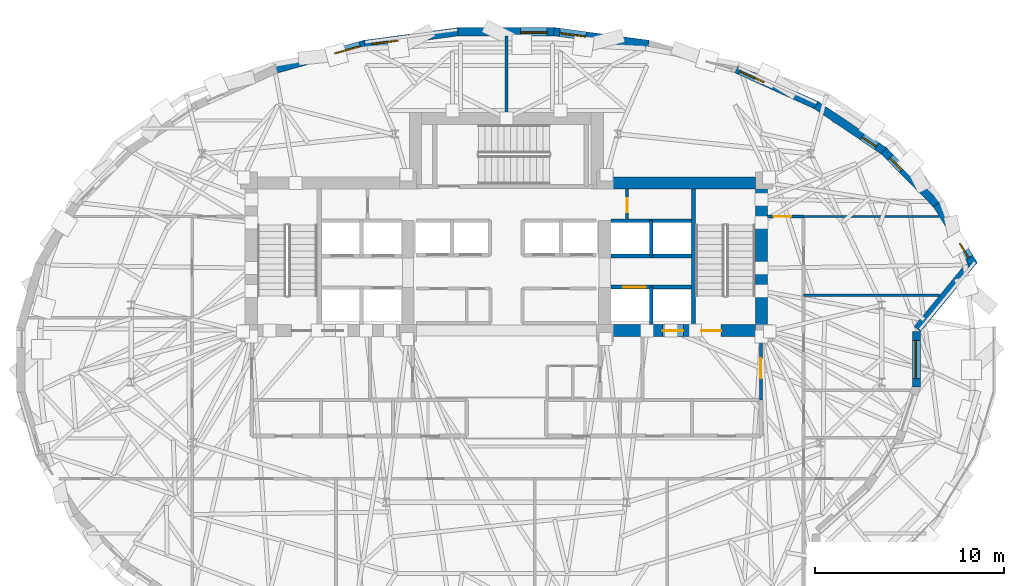
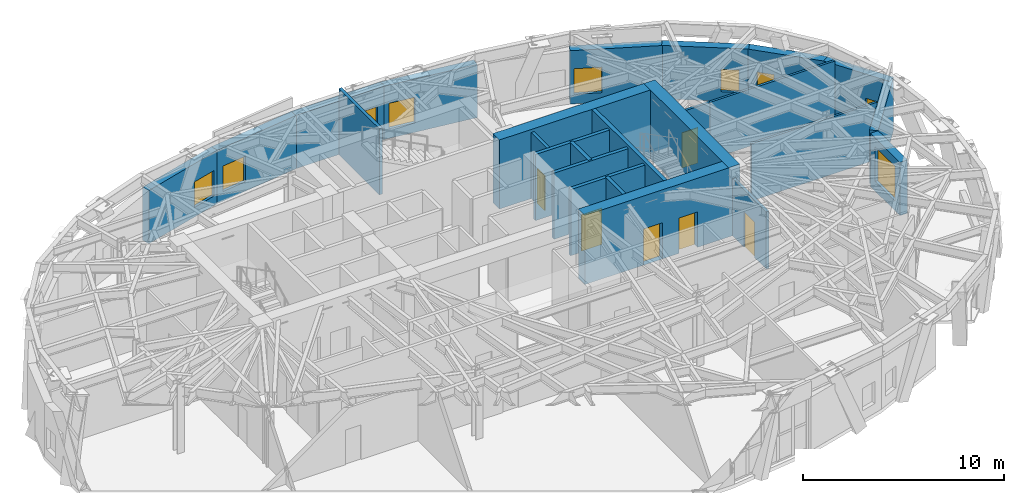
# One storey, part 11 of 16: 25 walls, 9 windows, 6 doors, 15 openings.
"""IFC4 building model written with IfcOpenShell, lengths in metres."""

import ifcopenshell
import ifcopenshell.guid

model = None  # the IFC model being written
_history = None  # IfcOwnerHistory: only IFC2X3 demands one
_inside = {}  # id of a spatial element -> (the spatial element, [elements in it])
_under = {}  # id of a project, library or spatial element -> (it, [spatial elements below it])
_declared = {}  # id of a project -> (the project, [libraries it declares])
_typed = {}  # id of a type object -> (the type object, [elements of that type])
_made_of = {}  # id of a material, layer set ... -> (it, [elements and type objects made of it])


def new_model(schema):
    """Start an empty IFC model of exactly this schema.

    Asked for "IFC4X3", IfcOpenShell would pick the latest addendum, in which some entities
    have other attributes; the version numbers below select the first issue.
    IFC2X3 requires an IfcOwnerHistory on every rooted entity: one is made here for all.
    """
    global model, _history
    if schema == "IFC4X3":
        model = ifcopenshell.file(schema_version=(4, 3, 0, 0))
    else:
        model = ifcopenshell.file(schema=schema)
    _inside.clear()
    _under.clear()
    _declared.clear()
    _typed.clear()
    _made_of.clear()
    _history = None
    if model.schema == "IFC2X3":
        org = make("IfcOrganization", Name="unknown")
        user = make(
            "IfcPersonAndOrganization",
            ThePerson=make("IfcPerson", FamilyName="unknown"),
            TheOrganization=org,
        )
        app = make(
            "IfcApplication",
            ApplicationDeveloper=org,
            Version="unknown",
            ApplicationFullName="unknown",
            ApplicationIdentifier="unknown",
        )
        _history = make(
            "IfcOwnerHistory",
            OwningUser=user,
            OwningApplication=app,
            ChangeAction="ADDED",
            CreationDate=0,
        )
    return model


def make(cls, **values):
    """One entity of the class cls with the attributes given. An attribute that is None is left unset."""
    return model.create_entity(
        cls, **{name: value for name, value in values.items() if value is not None}
    )


def rooted(cls, **values):
    """An entity with a GlobalId (a new one), such as an element, a storey or a relation."""
    return make(cls, GlobalId=ifcopenshell.guid.new(), OwnerHistory=_history, **values)


def si_unit(unit_type, name, prefix=None):
    """IfcSIUnit, for example si_unit("LENGTHUNIT", "METRE", prefix="MILLI")."""
    return make("IfcSIUnit", UnitType=unit_type, Prefix=prefix, Name=name)


def assignment(units):
    """IfcUnitAssignment: the units of a project."""
    return None if units is None else make("IfcUnitAssignment", Units=units)


def point(xyz):
    """IfcCartesianPoint."""
    return None if xyz is None else make("IfcCartesianPoint", Coordinates=xyz)


def direction(xyz):
    """IfcDirection."""
    return None if xyz is None else make("IfcDirection", DirectionRatios=xyz)


def frame(location, z_axis=None, x_axis=None):
    """IfcAxis2Placement3D, a coordinate frame: its origin and axes. An axis left out is left unset."""
    return make(
        "IfcAxis2Placement3D",
        Location=point(location),
        Axis=direction(z_axis),
        RefDirection=direction(x_axis),
    )


def frame_2d(location, x_axis=None):
    """IfcAxis2Placement2D, a coordinate frame in the plane: its origin and x axis."""
    return make(
        "IfcAxis2Placement2D", Location=point(location), RefDirection=direction(x_axis)
    )


def origin():
    """The frame at (0, 0, 0) with its axes left unset."""
    return frame((0.0, 0.0, 0.0))


def place(relative_to, where):
    """IfcLocalPlacement: puts the frame where relative to a parent placement (None: the world)."""
    return make(
        "IfcLocalPlacement", PlacementRelTo=relative_to, RelativePlacement=where
    )


def context(
    kind, dimensions, precision=None, world=None, true_north=None, identifier=None
):
    """IfcGeometricRepresentationContext, for example the 3D "Model" context."""
    return make(
        "IfcGeometricRepresentationContext",
        ContextIdentifier=identifier,
        ContextType=kind,
        CoordinateSpaceDimension=dimensions,
        Precision=precision,
        WorldCoordinateSystem=world,
        TrueNorth=true_north,
    )


def subcontext(parent, identifier, kind, view, scale=None):
    """IfcGeometricRepresentationSubContext, for example "Body" below "Model"."""
    return make(
        "IfcGeometricRepresentationSubContext",
        ContextIdentifier=identifier,
        ContextType=kind,
        ParentContext=parent,
        TargetScale=scale,
        TargetView=view,
    )


def project(units=None, contexts=None):
    """IfcProject with its units and contexts."""
    return rooted(
        "IfcProject",
        Name="project",
        RepresentationContexts=contexts,
        UnitsInContext=assignment(units),
    )


def spatial(cls, under=None, at=None, **own):
    """A site, building, storey or space (cls), placed at a placement, below another one or the project."""
    s = rooted(cls, ObjectPlacement=at, **own)
    if under is not None:
        _under.setdefault(under.id(), (under, []))[1].append(s)
    return s


def profile(cls, at=None, kind="AREA", **sizes):
    """A parametric profile (cls). Its sizes go by their IFC names, for example OverallWidth=200.0."""
    return make(cls, ProfileType=kind, Position=at, **sizes)


def rectangle(**sizes):
    """IfcRectangleProfileDef."""
    return profile("IfcRectangleProfileDef", **sizes)


def extrude(swept, where, along, depth):
    """IfcExtrudedAreaSolid: the profile swept, set in the frame where, extruded along a direction by depth."""
    return make(
        "IfcExtrudedAreaSolid",
        SweptArea=swept,
        Position=where,
        ExtrudedDirection=direction(along),
        Depth=depth,
    )


def shape(context_of_items, identifier, shape_type, items):
    """IfcShapeRepresentation: the items that make up one representation, for example the "Body"."""
    return make(
        "IfcShapeRepresentation",
        ContextOfItems=context_of_items,
        RepresentationIdentifier=identifier,
        RepresentationType=shape_type,
        Items=items,
    )


def material(Name=None, Category=None):
    """IfcMaterial."""
    return make("IfcMaterial", Name=Name, Category=Category)


def layer(
    of_material, thickness, ventilated=None, Name=None, Category=None, Priority=None
):
    """IfcMaterialLayer: one layer of a wall or slab, of a material (None: an air gap)."""
    return make(
        "IfcMaterialLayer",
        Material=of_material,
        LayerThickness=thickness,
        IsVentilated=ventilated,
        Name=Name,
        Category=Category,
        Priority=Priority,
    )


def layer_set(layers, Name=None):
    """IfcMaterialLayerSet."""
    return make("IfcMaterialLayerSet", MaterialLayers=layers, LayerSetName=Name)


def made_of(thing, what):
    """Note that an element or type object is made of a material, layer set ...; save() writes the relation."""
    if what is not None:
        _made_of.setdefault(what.id(), (what, []))[1].append(thing)
    return thing


def type_object(cls, material=None, **own):
    """A type object (cls), such as IfcWallType, which elements share."""
    return made_of(rooted(cls, **own), material)


def element(
    cls,
    number,
    at=None,
    inside=None,
    cuts=None,
    type_object=None,
    material=None,
    context=None,
    identifier="Body",
    shape_type=None,
    held_by="IfcProductDefinitionShape",
    body=None,
    shapes=None,
    **own,
):
    """One element of the class cls, such as IfcWall. Its Tag is "e" and its number.

    at: its placement. inside: the storey or other place that contains it. cuts: it is an
    opening in that element (IfcRelVoidsElement). A single representation is given by context,
    identifier, shape_type and body (its items); several are given by shapes. held_by: the class
    of the entity that holds the representations. save() writes the other relations.
    """
    e = rooted(cls, Tag="e%d" % number, ObjectPlacement=at, **own)
    if body is not None:
        shapes = [shape(context, identifier, shape_type, body)]
    if shapes is not None:
        e.Representation = make(held_by, Representations=shapes)
    if inside is not None:
        _inside.setdefault(inside.id(), (inside, []))[1].append(e)
    if cuts is not None:
        rooted(
            "IfcRelVoidsElement", RelatingBuildingElement=cuts, RelatedOpeningElement=e
        )
    if type_object is not None:
        _typed.setdefault(type_object.id(), (type_object, []))[1].append(e)
    return made_of(e, material)


def fill(opening, filler):
    """IfcRelFillsElement: the door or window that sits in an opening."""
    return rooted(
        "IfcRelFillsElement",
        RelatingOpeningElement=opening,
        RelatedBuildingElement=filler,
    )


def aggregate(whole, parts):
    """IfcRelAggregates: a whole, such as a stair, and the parts it consists of."""
    return rooted("IfcRelAggregates", RelatingObject=whole, RelatedObjects=parts)


def save(model, path):
    """Write the relations noted so far, then the file.

    IfcRelAggregates (storeys below a building ...), IfcRelContainedInSpatialStructure (elements
    in a storey), IfcRelDefinesByType, IfcRelAssociatesMaterial and IfcRelDeclares: one each for
    every whole, place, type object, material and project.
    """
    for whole, parts in _under.values():
        aggregate(whole, parts)
    for where, things in _inside.values():
        rooted(
            "IfcRelContainedInSpatialStructure",
            RelatedElements=things,
            RelatingStructure=where,
        )
    for kind, things in _typed.values():
        rooted("IfcRelDefinesByType", RelatedObjects=things, RelatingType=kind)
    for what, things in _made_of.values():
        rooted("IfcRelAssociatesMaterial", RelatedObjects=things, RelatingMaterial=what)
    for by, libraries in _declared.values():
        rooted("IfcRelDeclares", RelatingContext=by, RelatedDefinitions=libraries)
    model.write(path)


model = new_model("IFC4")

# Units and contexts
model_context = context("Model", 3, precision=1e-05, world=origin(), true_north=direction((0.0, 1.0)))
body_context = subcontext(model_context, "Body", "Model", "MODEL_VIEW")
ifc_project = project(units=[si_unit("LENGTHUNIT", "METRE"), si_unit("AREAUNIT", "SQUARE_METRE"), si_unit("VOLUMEUNIT", "CUBIC_METRE"), si_unit("PLANEANGLEUNIT", "RADIAN"), si_unit("MASSUNIT", "GRAM", prefix="KILO")], contexts=[model_context])

# Site, building, storey
site_placement = place(None, origin())
site = spatial("IfcSite", under=ifc_project, at=site_placement, CompositionType="ELEMENT")
building_placement = place(site_placement, origin())
building = spatial("IfcBuilding", under=site, at=building_placement, Name="Keldmark Tower", CompositionType="ELEMENT")
storey_placement = place(building_placement, frame((0.0, 0.0, 139.60009765625)))
storey = spatial("IfcBuildingStorey", under=building, at=storey_placement, Name="L37", CompositionType="ELEMENT", Elevation=139.60009765625)

# Wall, opening, door
ifc_material_1 = material(Name="Acoustic Double-Layer Gypsum Corridor Partition", Category="gypsum")
ifc_layer_1 = layer(ifc_material_1, 0.139892578125)
ifc_layer_set_1 = layer_set([ifc_layer_1], Name="Acoustic Double-Layer Gypsum Corridor Partition")
wall_type_1 = type_object("IfcWallType", Name="Acoustic Corridor Partition 140 mm", PredefinedType="PARTITIONING", material=ifc_layer_set_1)
wall_1_placement = place(storey_placement, frame((13.800048828125, 7.550048828125, 0.0), z_axis=(0.0, 0.0, 1.0), x_axis=(1.0, 0.0, 0.0)))
wall_1 = element("IfcWall", 1, at=wall_1_placement, inside=storey, type_object=wall_type_1, Name="L37 Acoustic Corridor Partition 140 mm COR-EN-CAP", PredefinedType="PARTITIONING", context=body_context, shape_type="SweptSolid", body=[
    extrude(rectangle(XDim=1.89990234375, YDim=0.139892578125, at=frame_2d((0.949951171875, 0.0))), origin(), (0.0, 0.0, 1.0), 3.472900390625),
])
opening_1_placement = place(wall_1_placement, frame((0.320068359375, 0.0, 0.0)))
opening_1 = element("IfcOpeningElement", 2, at=opening_1_placement, cuts=wall_1, Name="Opening D-EX092", PredefinedType="OPENING", context=body_context, shape_type="SweptSolid", body=[
    extrude(rectangle(XDim=0.919921875, YDim=2.14990234375, at=frame_2d((0.4599609375, 1.074951171875))), frame((0.0, 0.079833984375, 0.0), z_axis=(0.0, -1.0, 0.0), x_axis=(1.0, 0.0, 0.0)), (0.0, 0.0, 1.0), 0.159912109375),
])
ifc_material_2 = material(Name="Flush American Ash Executive Office Door", Category="wood")
door_type_1 = type_object("IfcDoorType", Name="Executive Office Door 920x2150", OperationType="NOTDEFINED", PredefinedType="DOOR", material=ifc_material_2)
door_1_placement = place(opening_1_placement, origin())
door_1 = element("IfcDoor", 3, at=door_1_placement, inside=storey, type_object=door_type_1, Name="L37 Executive Office Door 920x2150 D-NRNE-L37", OperationType="SINGLE_SWING_RIGHT", OverallHeight=2.14990234375, OverallWidth=0.919921875, PredefinedType="DOOR", context=body_context, shape_type="SweptSolid", body=[
    extrude(rectangle(XDim=0.919921875, YDim=2.14990234375, at=frame_2d((0.4599609375, 1.074951171875))), frame((0.0, 0.02490234375, 0.0), z_axis=(0.0, -1.0, 0.0), x_axis=(1.0, 0.0, 0.0)), (0.0, 0.0, 1.0), 0.050048828125),
])
fill(opening_1, door_1)

# Walls
ifc_material_3 = material(Name="STC-58 Insulated Tenant Demising Gypsum Partition", Category="gypsum")
ifc_layer_2 = layer(ifc_material_3, 0.175048828125)
ifc_layer_set_2 = layer_set([ifc_layer_2], Name="STC-58 Insulated Tenant Demising Gypsum Partition")
wall_type_2 = type_object("IfcWallType", Name="Demising Suite Partition 175 mm", PredefinedType="PARTITIONING", material=ifc_layer_set_2)
wall_2_placement = place(storey_placement, frame((0.0, 13.050048828125, 0.0), z_axis=(0.0, 0.0, 1.0), x_axis=(0.0, 1.0, 0.0)))
element("IfcWall", 4, at=wall_2_placement, inside=storey, type_object=wall_type_2, Name="L37 Demising Suite Partition 175 mm N-MID-DIV", PredefinedType="PARTITIONING", context=body_context, shape_type="SweptSolid", body=[
    extrude(rectangle(XDim=4.037109375, YDim=0.175048828125, at=frame_2d((2.0185546875, 0.0))), origin(), (0.0, 0.0, 1.0), 4.02001953125),
])
ifc_material_4 = material(Name="Acoustic Gypsum Board Interior Partition", Category="gypsum")
ifc_layer_3 = layer(ifc_material_4, 0.1298828125)
ifc_layer_set_3 = layer_set([ifc_layer_3], Name="Acoustic Gypsum Board Interior Partition")
wall_type_3 = type_object("IfcWallType", Name="Interior Partition 130 mm", PredefinedType="PARTITIONING", material=ifc_layer_set_3)
wall_3_placement = place(storey_placement, frame((15.699951171875, 7.550048828125, 0.0), z_axis=(0.0, 0.0, 1.0), x_axis=(1.0, 0.0, 0.0)))
element("IfcWall", 5, at=wall_3_placement, inside=storey, type_object=wall_type_3, Name="L37 Interior Partition 130 mm E-CAP-N", PredefinedType="PARTITIONING", context=body_context, shape_type="SweptSolid", body=[
    extrude(rectangle(XDim=7.1669921875, YDim=0.1298828125, at=frame_2d((3.58349609375, 0.0))), origin(), (0.0, 0.0, 1.0), 3.472900390625),
])
wall_4_placement = place(storey_placement, frame((15.699951171875, 3.39990234375, 0.0), z_axis=(0.0, 0.0, 1.0), x_axis=(1.0, 0.0, 0.0)))
element("IfcWall", 6, at=wall_4_placement, inside=storey, type_object=wall_type_3, Name="L37 Interior Partition 130 mm E-DIV-3", PredefinedType="PARTITIONING", context=body_context, shape_type="SweptSolid", body=[
    extrude(rectangle(XDim=7.19482421875, YDim=0.1298828125, at=frame_2d((3.597412109375, 0.0))), origin(), (0.0, 0.0, 1.0), 3.472900390625),
])

# Wall, opening, door
ifc_material_5 = material(Name="Type X Fire-Rated Gypsum Partition Assembly", Category="gypsum")
ifc_layer_4 = layer(ifc_material_5, 0.1650390625)
ifc_layer_set_4 = layer_set([ifc_layer_4], Name="Type X Fire-Rated Gypsum Partition Assembly")
wall_type_4 = type_object("IfcWallType", Name="Rated Partition 165 mm", PredefinedType="PARTITIONING", material=ifc_layer_set_4)
wall_5_placement = place(storey_placement, frame((13.449951171875, -2.14990234375, 0.0), z_axis=(0.0, 0.0, 1.0), x_axis=(0.0, 1.0, 0.0)))
wall_5 = element("IfcWall", 7, at=wall_5_placement, inside=storey, type_object=wall_type_4, Name="L37 Rated Partition 165 mm FSAE-E-E", PredefinedType="PARTITIONING", context=body_context, shape_type="SweptSolid", body=[
    extrude(rectangle(XDim=3.39990234375, YDim=0.1650390625, at=frame_2d((1.699951171875, 0.0))), origin(), (0.0, 0.0, 1.0), 3.472900390625),
])
opening_2_placement = place(wall_5_placement, frame((1.14990234375, 0.0, 0.0)))
opening_2 = element("IfcOpeningElement", 8, at=opening_2_placement, cuts=wall_5, Name="Opening D-FL105", PredefinedType="OPENING", context=body_context, shape_type="SweptSolid", body=[
    extrude(rectangle(XDim=1.050048828125, YDim=2.14990234375, at=frame_2d((0.52490234375, 1.074951171875))), frame((0.0, 0.092529296875, 0.0), z_axis=(0.0, -1.0, 0.0), x_axis=(1.0, 0.0, 0.0)), (0.0, 0.0, 1.0), 0.18505859375),
])
ifc_material_6 = material(Name="Fire-Rated Mineral-Core Door and Vision Lite", Category="metal")
door_type_2 = type_object("IfcDoorType", Name="Fire Lobby Door 1050x2150", OperationType="NOTDEFINED", PredefinedType="DOOR", material=ifc_material_6)
door_2_placement = place(opening_2_placement, origin())
door_2 = element("IfcDoor", 9, at=door_2_placement, inside=storey, type_object=door_type_2, Name="L37 Fire Lobby Door 1050x2150 D-FSAEE-OUT-L37", OperationType="SINGLE_SWING_LEFT", OverallHeight=2.14990234375, OverallWidth=1.050048828125, PredefinedType="DOOR", context=body_context, shape_type="SweptSolid", body=[
    extrude(rectangle(XDim=1.050048828125, YDim=2.14990234375, at=frame_2d((0.52490234375, 1.074951171875))), frame((0.0, 0.02490234375, 0.0), z_axis=(0.0, -1.0, 0.0), x_axis=(1.0, 0.0, 0.0)), (0.0, 0.0, 1.0), 0.050048828125),
])
fill(opening_2, door_2)

wall_6_placement = place(storey_placement, frame((6.3798828125, 7.419921875, 0.0), z_axis=(0.0, 0.0, 1.0), x_axis=(0.0, 1.0, 0.0)))
wall_6 = element("IfcWall", 10, at=wall_6_placement, inside=storey, type_object=wall_type_4, Name="L37 Rated Partition 165 mm CS-NE-W", PredefinedType="PARTITIONING", context=body_context, shape_type="SweptSolid", body=[
    extrude(rectangle(XDim=1.580078125, YDim=0.1650390625, at=frame_2d((0.7900390625, 0.0))), origin(), (0.0, 0.0, 1.0), 4.02001953125),
])
opening_3_placement = place(wall_6_placement, frame((0.35009765625, 0.0, 0.0)))
opening_3 = element("IfcOpeningElement", 11, at=opening_3_placement, cuts=wall_6, Name="Opening D-RS075", PredefinedType="OPENING", context=body_context, shape_type="SweptSolid", body=[
    extrude(rectangle(XDim=0.75, YDim=2.10009765625, at=frame_2d((0.375, 1.050048828125))), frame((0.0, 0.092529296875, 0.0), z_axis=(0.0, -1.0, 0.0), x_axis=(1.0, 0.0, 0.0)), (0.0, 0.0, 1.0), 0.18505859375),
])
ifc_material_7 = material(Name="Galvanized Fire-Rated Access Leaf", Category="metal")
door_type_3 = type_object("IfcDoorType", Name="Riser Access Door 750x2100", OperationType="NOTDEFINED", PredefinedType="DOOR", material=ifc_material_7)
door_3_placement = place(opening_3_placement, origin())
door_3 = element("IfcDoor", 12, at=door_3_placement, inside=storey, type_object=door_type_3, Name="L37 Riser Access Door 750x2100 D-CSNE1-L37", OperationType="SINGLE_SWING_LEFT", OverallHeight=2.10009765625, OverallWidth=0.75, PredefinedType="DOOR", context=body_context, shape_type="SweptSolid", body=[
    extrude(rectangle(XDim=0.75, YDim=2.10009765625, at=frame_2d((0.375, 1.050048828125))), frame((0.0, 0.02490234375, 0.0), z_axis=(0.0, -1.0, 0.0), x_axis=(1.0, 0.0, 0.0)), (0.0, 0.0, 1.0), 0.050048828125),
])
fill(opening_3, door_3)

ifc_material_8 = material(Name="Fire-Resistant Type X Gypsum Shaftliner Coreboard", Category="gypsum")
ifc_layer_5 = layer(ifc_material_8, 0.199951171875)
ifc_layer_set_5 = layer_set([ifc_layer_5], Name="Fire-Resistant Type X Gypsum Shaftliner Coreboard")
wall_type_5 = type_object("IfcWallType", Name="Shaft Wall 200 mm", PredefinedType="SOLIDWALL", material=ifc_layer_set_5)
wall_7_placement = place(storey_placement, frame((5.52490234375, 3.820068359375, 0.0), z_axis=(0.0, 0.0, 1.0), x_axis=(1.0, 0.0, 0.0)))
wall_7 = element("IfcWall", 13, at=wall_7_placement, inside=storey, type_object=wall_type_5, Name="L37 Shaft Wall 200 mm HW-E-S", PredefinedType="SOLIDWALL", context=body_context, shape_type="SweptSolid", body=[
    extrude(rectangle(XDim=4.255126953125, YDim=0.199951171875, at=frame_2d((2.12744140625, 0.0))), origin(), (0.0, 0.0, 1.0), 4.02001953125),
])
opening_4_placement = place(wall_7_placement, frame((0.64990234375, 0.0, 0.0)))
opening_4 = element("IfcOpeningElement", 14, at=opening_4_placement, cuts=wall_7, Name="Opening LD-120", PredefinedType="OPENING", context=body_context, shape_type="SweptSolid", body=[
    extrude(rectangle(XDim=1.199951171875, YDim=2.199951171875, at=frame_2d((0.60009765625, 1.10009765625))), frame((0.0, 0.10986328125, 0.0), z_axis=(0.0, -1.0, 0.0), x_axis=(1.0, 0.0, 0.0)), (0.0, 0.0, 1.0), 0.219970703125),
])
ifc_material_9 = material(Name="Heavy-Duty Brushed Metal Hoistway Sliding Leaf", Category="metal")
door_type_4 = type_object("IfcDoorType", Name="Service Lift Sliding Door 1200x2200", OperationType="SLIDING_TO_RIGHT", PredefinedType="DOOR", material=ifc_material_9)
door_4_placement = place(opening_4_placement, origin())
door_4 = element("IfcDoor", 15, at=door_4_placement, inside=storey, type_object=door_type_4, Name="L37 Service Lift Sliding Door 1200x2200 LD-EL-SV1-L37", OperationType="SLIDING_TO_RIGHT", OverallHeight=2.199951171875, OverallWidth=1.199951171875, PredefinedType="DOOR", context=body_context, shape_type="SweptSolid", body=[
    extrude(rectangle(XDim=1.199951171875, YDim=2.199951171875, at=frame_2d((0.60009765625, 1.10009765625))), frame((0.0, 0.02490234375, 0.0), z_axis=(0.0, -1.0, 0.0), x_axis=(1.0, 0.0, 0.0)), (0.0, 0.0, 1.0), 0.050048828125),
])
fill(opening_4, door_4)

# Walls
wall_8_placement = place(storey_placement, frame((7.64990234375, 1.85009765625, 0.0), z_axis=(0.0, 0.0, 1.0), x_axis=(0.0, 1.0, 0.0)))
element("IfcWall", 16, at=wall_8_placement, inside=storey, type_object=wall_type_5, Name="L37 Shaft Wall 200 mm HW-E-M", PredefinedType="SOLIDWALL", context=body_context, shape_type="SweptSolid", body=[
    extrude(rectangle(XDim=1.969970703125, YDim=0.199951171875, at=frame_2d((0.98486328125, 0.0))), origin(), (0.0, 0.0, 1.0), 4.02001953125),
])
for number, where, z_axis, x_axis, name in (
    (17, (5.52490234375, 5.469970703125, 0.0), (0.0, 0.0, 1.0), (1.0, 0.0, 0.0), "L37 Shaft Wall 200 mm HW-E-N"),
    (18, (5.52490234375, 7.330078125, 0.0), (0.0, 0.0, 1.0), (1.0, 0.0, 0.0), "L37 Shaft Wall 200 mm HW-E-TOP"),
):
    element("IfcWall", number, at=place(storey_placement, frame(where, z_axis=z_axis, x_axis=x_axis)), inside=storey, type_object=wall_type_5, Name=name, PredefinedType="SOLIDWALL", context=body_context, shape_type="SweptSolid", body=[
        extrude(rectangle(XDim=4.255126953125, YDim=0.199951171875, at=frame_2d((2.12744140625, 0.0))), origin(), (0.0, 0.0, 1.0), 4.02001953125),
    ])
wall_9_placement = place(storey_placement, frame((7.64990234375, 5.469970703125, 0.0), z_axis=(0.0, 0.0, 1.0), x_axis=(0.0, 1.0, 0.0)))
element("IfcWall", 19, at=wall_9_placement, inside=storey, type_object=wall_type_5, Name="L37 Shaft Wall 200 mm HW-E-NM", PredefinedType="SOLIDWALL", context=body_context, shape_type="SweptSolid", body=[
    extrude(rectangle(XDim=1.860107421875, YDim=0.199951171875, at=frame_2d((0.93017578125, 0.0))), origin(), (0.0, 0.0, 1.0), 4.02001953125),
])
ifc_material_10 = material(Name="Concrete C50/60", Category="concrete")
ifc_layer_6 = layer(ifc_material_10, 0.219970703125)
ifc_layer_set_6 = layer_set([ifc_layer_6], Name="Concrete C50/60")
wall_type_6 = type_object("IfcWallType", Name="Stair Core Shear Wall 220 mm", PredefinedType="SHEAR", material=ifc_layer_set_6)
wall_10_placement = place(storey_placement, frame((9.889892578125, 1.85009765625, 0.0), z_axis=(0.0, 0.0, 1.0), x_axis=(0.0, 1.0, 0.0)))
element("IfcWall", 20, at=wall_10_placement, inside=storey, type_object=wall_type_6, Name="L37 East Stair Core Shear Wall", PredefinedType="SHEAR", context=body_context, shape_type="SweptSolid", body=[
    extrude(rectangle(XDim=7.14990234375, YDim=0.219970703125, at=frame_2d((3.574951171875, 0.0))), origin(), (0.0, 0.0, 1.0), 4.199951171875),
])
ifc_material_11 = material(Name="Ironspot Manganese Brick and Kasota Buff Limestone Spandrel Assembly", Category="masonry")
ifc_layer_7 = layer(ifc_material_11, 0.43994140625)
ifc_layer_set_7 = layer_set([ifc_layer_7], Name="Ironspot Manganese Brick and Kasota Buff Limestone Spandrel Assembly")
wall_type_7 = type_object("IfcWallType", Name="Tower Brick Pier and Spandrel Wall 440 mm", PredefinedType="STANDARD", material=ifc_layer_set_7)
wall_11_placement = place(storey_placement, frame((24.710205078125, 5.25439453125, 0.0), z_axis=(0.0, 0.0, 1.0), x_axis=(-0.634087001858, -0.773261711244, 0.0)))
element("IfcWall", 21, at=wall_11_placement, inside=storey, type_object=wall_type_7, Name="L37 Exterior Brick and Spandrel Wall 01", PredefinedType="STANDARD", context=body_context, shape_type="SweptSolid", body=[
    extrude(rectangle(XDim=4.725830078125, YDim=0.43994140625, at=frame_2d((2.36279296875, 0.0))), origin(), (0.0, 0.0, 1.0), 3.23779296875),
])

# Wall, opening, window
wall_12_placement = place(storey_placement, frame((22.7421875, 8.19140625, 0.0), z_axis=(0.0, 0.0, 1.0), x_axis=(0.521476412293, -0.853265698022, 0.0)))
wall_12 = element("IfcWall", 22, at=wall_12_placement, inside=storey, type_object=wall_type_7, Name="L37 Exterior Brick and Spandrel Wall 02", PredefinedType="STANDARD", context=body_context, shape_type="SweptSolid", body=[
    extrude(rectangle(XDim=3.740234375, YDim=0.43994140625, at=frame_2d((1.8701171875, 0.0))), origin(), (0.0, 0.0, 1.0), 3.23779296875),
])
opening_5_placement = place(wall_12_placement, frame((2.39111328125, 0.0, 0.419921875)))
opening_5 = element("IfcOpeningElement", 23, at=opening_5_placement, cuts=wall_12, Name="Opening W-09", PredefinedType="OPENING", context=body_context, shape_type="SweptSolid", body=[
    extrude(rectangle(XDim=0.89990234375, YDim=1.35009765625, at=frame_2d((0.449951171875, 0.675048828125))), frame((0.0, 0.22998046875, 0.0), z_axis=(0.0, -1.0, 0.0), x_axis=(1.0, 0.0, 0.0)), (0.0, 0.0, 1.0), 0.4599609375),
])
ifc_material_12 = material(Name="Thermally Broken Anodized Aluminum and Triple Low-E Argon Glazing", Category="aluminium")
window_type_1 = type_object("IfcWindowType", Name="Corner Pier Deep-Set Window 900x1350", PartitioningType="SINGLE_PANEL", PredefinedType="WINDOW", material=ifc_material_12)
window_1_placement = place(opening_5_placement, origin())
window_1 = element("IfcWindow", 24, at=window_1_placement, inside=storey, type_object=window_type_1, Name="L37 Deep-Set Window 02", OverallHeight=1.35009765625, OverallWidth=0.89990234375, PartitioningType="SINGLE_PANEL", PredefinedType="WINDOW", context=body_context, shape_type="SweptSolid", body=[
    extrude(rectangle(XDim=0.89990234375, YDim=1.35009765625, at=frame_2d((0.449951171875, 0.675048828125))), frame((0.0, -0.010009765625, 0.0), z_axis=(0.0, -1.0, 0.0), x_axis=(1.0, 0.0, 0.0)), (0.0, 0.0, 1.0), 0.06005859375),
])
fill(opening_5, window_1)

wall_13_placement = place(storey_placement, frame((19.941650390625, 11.0234375, 0.0), z_axis=(0.0, 0.0, 1.0), x_axis=(0.702094935552, -0.712083352897, 0.0)))
wall_13 = element("IfcWall", 25, at=wall_13_placement, inside=storey, type_object=wall_type_7, Name="L37 Exterior Brick and Spandrel Wall 03", PredefinedType="STANDARD", context=body_context, shape_type="SweptSolid", body=[
    extrude(rectangle(XDim=4.032958984375, YDim=0.43994140625, at=frame_2d((2.0166015625, 0.0))), origin(), (0.0, 0.0, 1.0), 3.23779296875),
])
opening_6_placement = place(wall_13_placement, frame((0.498291015625, 0.0, 0.580078125)))
opening_6 = element("IfcOpeningElement", 26, at=opening_6_placement, cuts=wall_13, Name="Opening W-09", PredefinedType="OPENING", context=body_context, shape_type="SweptSolid", body=[
    extrude(rectangle(XDim=0.89990234375, YDim=1.35009765625, at=frame_2d((0.449951171875, 0.675048828125))), frame((0.0, 0.22998046875, 0.0), z_axis=(0.0, -1.0, 0.0), x_axis=(1.0, 0.0, 0.0)), (0.0, 0.0, 1.0), 0.4599609375),
])
window_2_placement = place(opening_6_placement, origin())
window_2 = element("IfcWindow", 27, at=window_2_placement, inside=storey, type_object=window_type_1, Name="L37 Deep-Set Window 03", OverallHeight=1.35009765625, OverallWidth=0.89990234375, PartitioningType="SINGLE_PANEL", PredefinedType="WINDOW", context=body_context, shape_type="SweptSolid", body=[
    extrude(rectangle(XDim=0.89990234375, YDim=1.35009765625, at=frame_2d((0.449951171875, 0.675048828125))), frame((0.0, -0.010009765625, 0.0), z_axis=(0.0, -1.0, 0.0), x_axis=(1.0, 0.0, 0.0)), (0.0, 0.0, 1.0), 0.06005859375),
])
fill(opening_6, window_2)

wall_14_placement = place(storey_placement, frame((16.370849609375, 13.438232421875, 0.0), z_axis=(0.0, 0.0, 1.0), x_axis=(0.827816201219, -0.56099940909, 0.0)))
wall_14 = element("IfcWall", 28, at=wall_14_placement, inside=storey, type_object=wall_type_7, Name="L37 Exterior Brick and Spandrel Wall 04", PredefinedType="STANDARD", context=body_context, shape_type="SweptSolid", body=[
    extrude(rectangle(XDim=4.353515625, YDim=0.43994140625, at=frame_2d((2.1767578125, 0.0))), origin(), (0.0, 0.0, 1.0), 3.241943359375),
])
opening_7_placement = place(wall_14_placement, frame((2.958251953125, 0.0, 0.580078125)))
opening_7 = element("IfcOpeningElement", 29, at=opening_7_placement, cuts=wall_14, Name="Opening W-09", PredefinedType="OPENING", context=body_context, shape_type="SweptSolid", body=[
    extrude(rectangle(XDim=0.89990234375, YDim=1.35009765625, at=frame_2d((0.449951171875, 0.675048828125))), frame((0.0, 0.22998046875, 0.0), z_axis=(0.0, -1.0, 0.0), x_axis=(1.0, 0.0, 0.0)), (0.0, 0.0, 1.0), 0.4599609375),
])
window_3_placement = place(opening_7_placement, origin())
window_3 = element("IfcWindow", 30, at=window_3_placement, inside=storey, type_object=window_type_1, Name="L37 Deep-Set Window 04", OverallHeight=1.35009765625, OverallWidth=0.89990234375, PartitioningType="SINGLE_PANEL", PredefinedType="WINDOW", context=body_context, shape_type="SweptSolid", body=[
    extrude(rectangle(XDim=0.89990234375, YDim=1.35009765625, at=frame_2d((0.449951171875, 0.675048828125))), frame((0.0, -0.010009765625, 0.0), z_axis=(0.0, -1.0, 0.0), x_axis=(1.0, 0.0, 0.0)), (0.0, 0.0, 1.0), 0.06005859375),
])
fill(opening_7, window_3)

wall_15_placement = place(storey_placement, frame((12.16552734375, 15.339111328125, 0.0), z_axis=(0.0, 0.0, 1.0), x_axis=(0.910938924115, -0.412541242221, 0.0)))
wall_15 = element("IfcWall", 31, at=wall_15_placement, inside=storey, type_object=wall_type_7, Name="L37 Exterior Brick and Spandrel Wall 05", PredefinedType="STANDARD", context=body_context, shape_type="SweptSolid", body=[
    extrude(rectangle(XDim=4.652099609375, YDim=0.43994140625, at=frame_2d((2.326171875, 0.0))), origin(), (0.0, 0.0, 1.0), 3.23779296875),
])
opening_8_placement = place(wall_15_placement, frame((0.199951171875, 0.0, 0.580078125)))
opening_8 = element("IfcOpeningElement", 32, at=opening_8_placement, cuts=wall_15, Name="Opening W-08", PredefinedType="OPENING", context=body_context, shape_type="SweptSolid", body=[
    extrude(rectangle(XDim=1.39990234375, YDim=1.550048828125, at=frame_2d((0.699951171875, 0.77490234375))), frame((0.0, 0.22998046875, 0.0), z_axis=(0.0, -1.0, 0.0), x_axis=(1.0, 0.0, 0.0)), (0.0, 0.0, 1.0), 0.4599609375),
])
ifc_material_13 = material(Name="Thermally Broken Anodized Aluminum and Triple Low-E Argon Glazing", Category="aluminium")
window_type_2 = type_object("IfcWindowType", Name="Residential Corner Punched Window 1400x1550", PartitioningType="SINGLE_PANEL", PredefinedType="WINDOW", material=ifc_material_13)
window_4_placement = place(opening_8_placement, origin())
window_4 = element("IfcWindow", 33, at=window_4_placement, inside=storey, type_object=window_type_2, Name="L37 Deep-Set Window 05", OverallHeight=1.550048828125, OverallWidth=1.39990234375, PartitioningType="SINGLE_PANEL", PredefinedType="WINDOW", context=body_context, shape_type="SweptSolid", body=[
    extrude(rectangle(XDim=1.39990234375, YDim=1.550048828125, at=frame_2d((0.699951171875, 0.77490234375))), frame((0.0, -0.010009765625, 0.0), z_axis=(0.0, -1.0, 0.0), x_axis=(1.0, 0.0, 0.0)), (0.0, 0.0, 1.0), 0.06005859375),
])
fill(opening_8, window_4)

wall_16_placement = place(storey_placement, frame((2.51904296875, 17.317138671875, 0.0), z_axis=(0.0, 0.0, 1.0), x_axis=(0.99103751038, -0.133583880086, 0.0)))
wall_16 = element("IfcWall", 34, at=wall_16_placement, inside=storey, type_object=wall_type_7, Name="L37 Exterior Brick and Spandrel Wall 07", PredefinedType="STANDARD", context=body_context, shape_type="SweptSolid", body=[
    extrude(rectangle(XDim=5.044189453125, YDim=0.43994140625, at=frame_2d((2.52197265625, 0.0))), origin(), (0.0, 0.0, 1.0), 3.23779296875),
])
opening_9_placement = place(wall_16_placement, frame((0.2998046875, 0.0, 0.580078125)))
opening_9 = element("IfcOpeningElement", 35, at=opening_9_placement, cuts=wall_16, Name="Opening W-08", PredefinedType="OPENING", context=body_context, shape_type="SweptSolid", body=[
    extrude(rectangle(XDim=1.39990234375, YDim=1.550048828125, at=frame_2d((0.699951171875, 0.77490234375))), frame((0.0, 0.22998046875, 0.0), z_axis=(0.0, -1.0, 0.0), x_axis=(1.0, 0.0, 0.0)), (0.0, 0.0, 1.0), 0.4599609375),
])
window_5_placement = place(opening_9_placement, origin())
window_5 = element("IfcWindow", 36, at=window_5_placement, inside=storey, type_object=window_type_2, Name="L37 Deep-Set Window 07", OverallHeight=1.550048828125, OverallWidth=1.39990234375, PartitioningType="SINGLE_PANEL", PredefinedType="WINDOW", context=body_context, shape_type="SweptSolid", body=[
    extrude(rectangle(XDim=1.39990234375, YDim=1.550048828125, at=frame_2d((0.699951171875, 0.77490234375))), frame((0.0, -0.010009765625, 0.0), z_axis=(0.0, -1.0, 0.0), x_axis=(1.0, 0.0, 0.0)), (0.0, 0.0, 1.0), 0.06005859375),
])
fill(opening_9, window_5)

wall_17_placement = place(storey_placement, frame((-2.54833984375, 17.315185546875, 0.0), z_axis=(0.0, 0.0, 1.0), x_axis=(1.0, 0.0, 0.0)))
wall_17 = element("IfcWall", 37, at=wall_17_placement, inside=storey, type_object=wall_type_7, Name="L37 Exterior Brick and Spandrel Wall 08", PredefinedType="STANDARD", context=body_context, shape_type="SweptSolid", body=[
    extrude(rectangle(XDim=5.0966796875, YDim=0.43994140625, at=frame_2d((2.54833984375, 0.0))), origin(), (0.0, 0.0, 1.0), 3.241943359375),
])
opening_10_placement = place(wall_17_placement, frame((3.297119140625, 0.0, 0.580078125)))
opening_10 = element("IfcOpeningElement", 38, at=opening_10_placement, cuts=wall_17, Name="Opening W-08", PredefinedType="OPENING", context=body_context, shape_type="SweptSolid", body=[
    extrude(rectangle(XDim=1.39990234375, YDim=1.550048828125, at=frame_2d((0.699951171875, 0.77490234375))), frame((0.0, 0.22998046875, 0.0), z_axis=(0.0, -1.0, 0.0), x_axis=(1.0, 0.0, 0.0)), (0.0, 0.0, 1.0), 0.4599609375),
])
window_6_placement = place(opening_10_placement, origin())
window_6 = element("IfcWindow", 39, at=window_6_placement, inside=storey, type_object=window_type_2, Name="L37 Deep-Set Window 08", OverallHeight=1.550048828125, OverallWidth=1.39990234375, PartitioningType="SINGLE_PANEL", PredefinedType="WINDOW", context=body_context, shape_type="SweptSolid", body=[
    extrude(rectangle(XDim=1.39990234375, YDim=1.550048828125, at=frame_2d((0.699951171875, 0.77490234375))), frame((0.0, -0.010009765625, 0.0), z_axis=(0.0, -1.0, 0.0), x_axis=(1.0, 0.0, 0.0)), (0.0, 0.0, 1.0), 0.06005859375),
])
fill(opening_10, window_6)

wall_18_placement = place(storey_placement, frame((-7.51806640625, 16.643310546875, 0.0), z_axis=(0.0, 0.0, 1.0), x_axis=(0.99103751038, 0.133583880086, 0.0)))
wall_18 = element("IfcWall", 40, at=wall_18_placement, inside=storey, type_object=wall_type_7, Name="L37 Exterior Brick and Spandrel Wall 09", PredefinedType="STANDARD", context=body_context, shape_type="SweptSolid", body=[
    extrude(rectangle(XDim=5.044189453125, YDim=0.43994140625, at=frame_2d((2.52197265625, 0.0))), origin(), (0.0, 0.0, 1.0), 3.23779296875),
])
opening_11_placement = place(wall_18_placement, frame((0.399658203125, 0.0, 0.580078125)))
opening_11 = element("IfcOpeningElement", 41, at=opening_11_placement, cuts=wall_18, Name="Opening W-08", PredefinedType="OPENING", context=body_context, shape_type="SweptSolid", body=[
    extrude(rectangle(XDim=1.39990234375, YDim=1.550048828125, at=frame_2d((0.699951171875, 0.77490234375))), frame((0.0, 0.22998046875, 0.0), z_axis=(0.0, -1.0, 0.0), x_axis=(1.0, 0.0, 0.0)), (0.0, 0.0, 1.0), 0.4599609375),
])
window_7_placement = place(opening_11_placement, origin())
window_7 = element("IfcWindow", 42, at=window_7_placement, inside=storey, type_object=window_type_2, Name="L37 Deep-Set Window 09", OverallHeight=1.550048828125, OverallWidth=1.39990234375, PartitioningType="SINGLE_PANEL", PredefinedType="WINDOW", context=body_context, shape_type="SweptSolid", body=[
    extrude(rectangle(XDim=1.39990234375, YDim=1.550048828125, at=frame_2d((0.699951171875, 0.77490234375))), frame((0.0, -0.010009765625, 0.0), z_axis=(0.0, -1.0, 0.0), x_axis=(1.0, 0.0, 0.0)), (0.0, 0.0, 1.0), 0.06005859375),
])
fill(opening_11, window_7)

wall_19_placement = place(storey_placement, frame((-12.19677734375, 15.32763671875, 0.0), z_axis=(0.0, 0.0, 1.0), x_axis=(0.962790668442, 0.270248272446, 0.0)))
wall_19 = element("IfcWall", 43, at=wall_19_placement, inside=storey, type_object=wall_type_7, Name="L37 Exterior Brick and Spandrel Wall 10", PredefinedType="STANDARD", context=body_context, shape_type="SweptSolid", body=[
    extrude(rectangle(XDim=4.890869140625, YDim=0.43994140625, at=frame_2d((2.4453125, 0.0))), origin(), (0.0, 0.0, 1.0), 3.23779296875),
])
opening_12_placement = place(wall_19_placement, frame((3.240966796875, 0.0, 0.580078125)))
opening_12 = element("IfcOpeningElement", 44, at=opening_12_placement, cuts=wall_19, Name="Opening W-08", PredefinedType="OPENING", context=body_context, shape_type="SweptSolid", body=[
    extrude(rectangle(XDim=1.39990234375, YDim=1.550048828125, at=frame_2d((0.699951171875, 0.77490234375))), frame((0.0, 0.22998046875, 0.0), z_axis=(0.0, -1.0, 0.0), x_axis=(1.0, 0.0, 0.0)), (0.0, 0.0, 1.0), 0.4599609375),
])
window_8_placement = place(opening_12_placement, origin())
window_8 = element("IfcWindow", 45, at=window_8_placement, inside=storey, type_object=window_type_2, Name="L37 Deep-Set Window 10", OverallHeight=1.550048828125, OverallWidth=1.39990234375, PartitioningType="SINGLE_PANEL", PredefinedType="WINDOW", context=body_context, shape_type="SweptSolid", body=[
    extrude(rectangle(XDim=1.39990234375, YDim=1.550048828125, at=frame_2d((0.699951171875, 0.77490234375))), frame((0.0, -0.010009765625, 0.0), z_axis=(0.0, -1.0, 0.0), x_axis=(1.0, 0.0, 0.0)), (0.0, 0.0, 1.0), 0.06005859375),
])
fill(opening_12, window_8)

wall_20_placement = place(storey_placement, frame((21.663818359375, 1.460693359375, 0.0), z_axis=(0.0, 0.0, 1.0), x_axis=(0.0, -1.0, 0.0)))
wall_20 = element("IfcWall", 46, at=wall_20_placement, inside=storey, type_object=wall_type_7, Name="L37 Exterior Brick and Spandrel Wall 32", PredefinedType="STANDARD", context=body_context, shape_type="SweptSolid", body=[
    extrude(rectangle(XDim=2.92138671875, YDim=0.43994140625, at=frame_2d((1.460693359375, 0.0))), origin(), (0.0, 0.0, 1.0), 3.241943359375),
])
opening_13_placement = place(wall_20_placement, frame((0.460693359375, 0.0, 0.60009765625)))
opening_13 = element("IfcOpeningElement", 47, at=opening_13_placement, cuts=wall_20, Name="Opening W-06", PredefinedType="OPENING", context=body_context, shape_type="SweptSolid", body=[
    extrude(rectangle(XDim=2.0, YDim=2.10009765625, at=frame_2d((1.0, 1.050048828125))), frame((0.0, 0.22998046875, 0.0), z_axis=(0.0, -1.0, 0.0), x_axis=(1.0, 0.0, 0.0)), (0.0, 0.0, 1.0), 0.4599609375),
])
ifc_material_14 = material(Name="Thermally Broken Anodized Aluminum and Triple Low-E Argon Glazing", Category="aluminium")
window_type_3 = type_object("IfcWindowType", Name="Sky Lounge Tall Punched Window 2000x2100", PartitioningType="SINGLE_PANEL", PredefinedType="WINDOW", material=ifc_material_14)
window_9_placement = place(opening_13_placement, origin())
window_9 = element("IfcWindow", 48, at=window_9_placement, inside=storey, type_object=window_type_3, Name="L37 Deep-Set Window 32", OverallHeight=2.10009765625, OverallWidth=2.0, PartitioningType="SINGLE_PANEL", PredefinedType="WINDOW", context=body_context, shape_type="SweptSolid", body=[
    extrude(rectangle(XDim=2.0, YDim=2.10009765625, at=frame_2d((1.0, 1.050048828125))), frame((0.0, -0.010009765625, 0.0), z_axis=(0.0, -1.0, 0.0), x_axis=(1.0, 0.0, 0.0)), (0.0, 0.0, 1.0), 0.06005859375),
])
fill(opening_13, window_9)

# Walls
ifc_material_15 = material(Name="Concrete C50/60", Category="concrete")
ifc_layer_8 = layer(ifc_material_15, 0.64990234375)
ifc_layer_set_8 = layer_set([ifc_layer_8], Name="Concrete C50/60")
wall_type_8 = type_object("IfcWallType", Name="Upper-Mid Core Shear Wall 650 mm", PredefinedType="SHEAR", material=ifc_layer_set_8)
wall_21_placement = place(storey_placement, frame((13.47509765625, 1.199951171875, 0.0), z_axis=(0.0, 0.0, 1.0), x_axis=(0.0, 1.0, 0.0)))
element("IfcWall", 49, at=wall_21_placement, inside=storey, type_object=wall_type_8, Name="L37 East Core Outer Shear Wall", PredefinedType="SHEAR", context=body_context, shape_type="SweptSolid", body=[
    extrude(rectangle(XDim=8.449951171875, YDim=0.64990234375, at=frame_2d((4.22509765625, 0.0))), origin(), (0.0, 0.0, 1.0), 4.199951171875),
])
wall_22_placement = place(storey_placement, frame((4.47509765625, 9.324951171875, 0.0), z_axis=(0.0, 0.0, 1.0), x_axis=(1.0, 0.0, 0.0)))
element("IfcWall", 50, at=wall_22_placement, inside=storey, type_object=wall_type_8, Name="L37 East Core North Shear Wall", PredefinedType="SHEAR", context=body_context, shape_type="SweptSolid", body=[
    extrude(rectangle(XDim=9.324951171875, YDim=0.64990234375, at=frame_2d((4.66259765625, 0.0))), origin(), (0.0, 0.0, 1.0), 4.199951171875),
])

# Wall, openings, doors
wall_23_placement = place(storey_placement, frame((13.800048828125, 1.52490234375, 0.0), z_axis=(0.0, 0.0, 1.0), x_axis=(-1.0, 0.0, 0.0)))
wall_23 = element("IfcWall", 51, at=wall_23_placement, inside=storey, type_object=wall_type_8, Name="L37 East Core South Shear Wall", PredefinedType="SHEAR", context=body_context, shape_type="SweptSolid", body=[
    extrude(rectangle(XDim=8.925048828125, YDim=0.64990234375, at=frame_2d((4.46240234375, 0.0))), origin(), (0.0, 0.0, 1.0), 4.199951171875),
])
opening_14_placement = place(wall_23_placement, frame((2.449951171875, 0.0, 0.0)))
opening_14 = element("IfcOpeningElement", 52, at=opening_14_placement, cuts=wall_23, Name="Opening D-ST105", PredefinedType="OPENING", context=body_context, shape_type="SweptSolid", body=[
    extrude(rectangle(XDim=1.050048828125, YDim=2.14990234375, at=frame_2d((0.52490234375, 1.074951171875))), frame((0.0, 0.3349609375, 0.0), z_axis=(0.0, -1.0, 0.0), x_axis=(1.0, 0.0, 0.0)), (0.0, 0.0, 1.0), 0.669921875),
])
opening_15_placement = place(wall_23_placement, frame((4.449951171875, 0.0, 0.0)))
opening_15 = element("IfcOpeningElement", 53, at=opening_15_placement, cuts=wall_23, Name="Opening LD-110", PredefinedType="OPENING", context=body_context, shape_type="SweptSolid", body=[
    extrude(rectangle(XDim=1.10009765625, YDim=2.199951171875, at=frame_2d((0.550048828125, 1.10009765625))), frame((0.0, 0.3349609375, 0.0), z_axis=(0.0, -1.0, 0.0), x_axis=(1.0, 0.0, 0.0)), (0.0, 0.0, 1.0), 0.669921875),
])
ifc_material_16 = material(Name="Brushed Bronze Hoistway Sliding Leaf", Category="metal")
door_type_5 = type_object("IfcDoorType", Name="Lift Landing Sliding Door 1100x2200", OperationType="SLIDING_TO_LEFT", PredefinedType="DOOR", material=ifc_material_16)
door_5_placement = place(opening_15_placement, origin())
door_5 = element("IfcDoor", 54, at=door_5_placement, inside=storey, type_object=door_type_5, Name="L37 Lift Landing Sliding Door 1100x2200 LD-EL-FS2-L37", OperationType="SLIDING_TO_LEFT", OverallHeight=2.199951171875, OverallWidth=1.10009765625, PredefinedType="DOOR", context=body_context, shape_type="SweptSolid", body=[
    extrude(rectangle(XDim=1.10009765625, YDim=2.199951171875, at=frame_2d((0.550048828125, 1.10009765625))), frame((0.0, 0.02490234375, 0.0), z_axis=(0.0, -1.0, 0.0), x_axis=(1.0, 0.0, 0.0)), (0.0, 0.0, 1.0), 0.050048828125),
])
fill(opening_15, door_5)
ifc_material_17 = material(Name="Hollow Metal Fire-Rated Door Assembly", Category="metal")
door_type_6 = type_object("IfcDoorType", Name="Stair Fire Door 1050x2150", OperationType="NOTDEFINED", PredefinedType="DOOR", material=ifc_material_17)
door_6_placement = place(opening_14_placement, origin())
door_6 = element("IfcDoor", 55, at=door_6_placement, inside=storey, type_object=door_type_6, Name="L37 Stair Fire Door 1050x2150 D-ST2-L37", OperationType="SINGLE_SWING_LEFT", OverallHeight=2.14990234375, OverallWidth=1.050048828125, PredefinedType="DOOR", context=body_context, shape_type="SweptSolid", body=[
    extrude(rectangle(XDim=1.050048828125, YDim=2.14990234375, at=frame_2d((0.52490234375, 1.074951171875))), frame((0.0, 0.02490234375, 0.0), z_axis=(0.0, -1.0, 0.0), x_axis=(1.0, 0.0, 0.0)), (0.0, 0.0, 1.0), 0.050048828125),
])
fill(opening_14, door_6)

save(model, "model.ifc")
